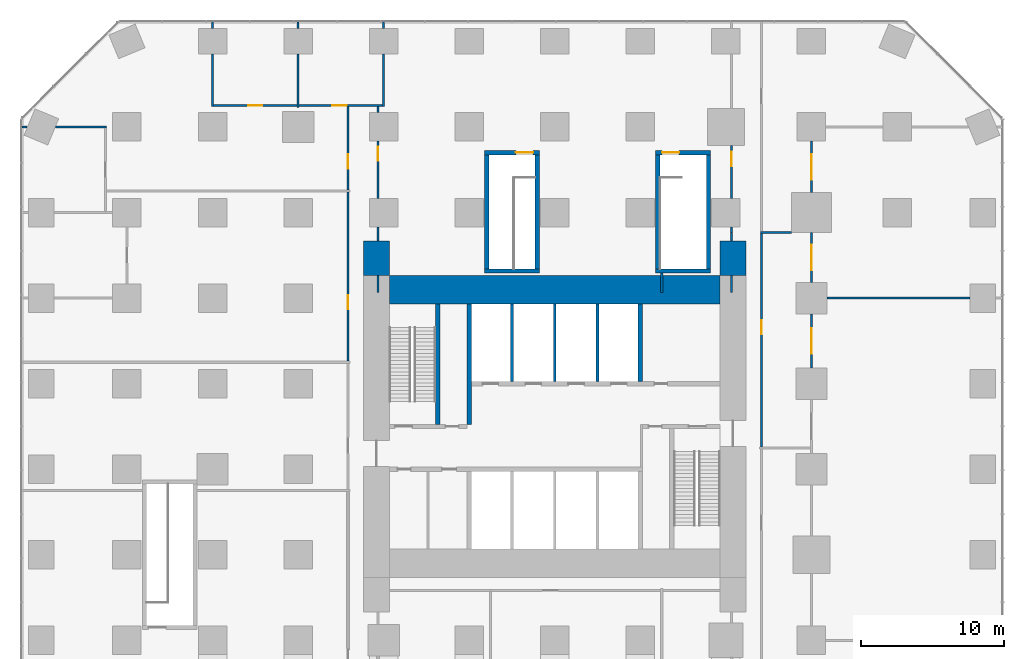
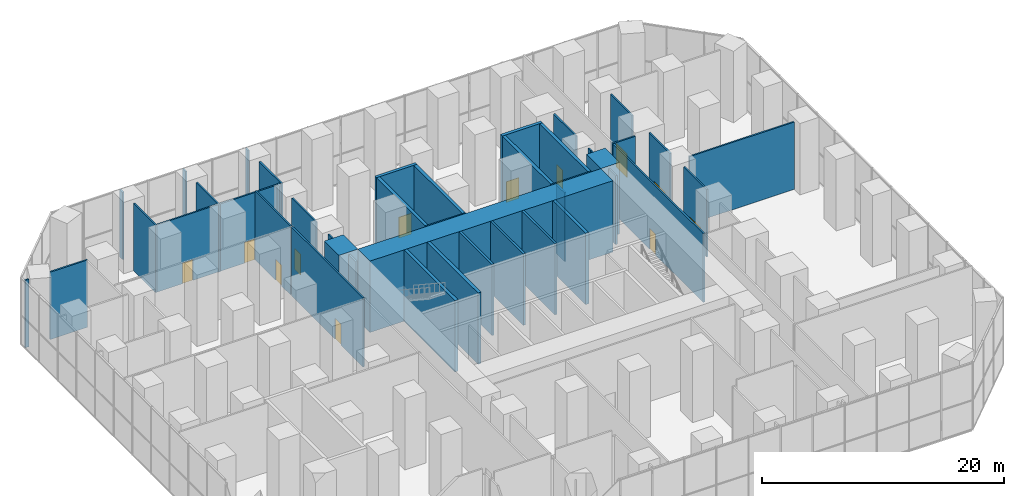
# One storey, part 14 of 16: 44 walls, 12 doors, 12 openings.
"""IFC4 building model written with IfcOpenShell, lengths in metres."""

import ifcopenshell
import ifcopenshell.guid

model = None  # the IFC model being written
_history = None  # IfcOwnerHistory: only IFC2X3 demands one
_inside = {}  # id of a spatial element -> (the spatial element, [elements in it])
_under = {}  # id of a project, library or spatial element -> (it, [spatial elements below it])
_declared = {}  # id of a project -> (the project, [libraries it declares])
_typed = {}  # id of a type object -> (the type object, [elements of that type])
_made_of = {}  # id of a material, layer set ... -> (it, [elements and type objects made of it])


def new_model(schema):
    """Start an empty IFC model of exactly this schema.

    Asked for "IFC4X3", IfcOpenShell would pick the latest addendum, in which some entities
    have other attributes; the version numbers below select the first issue.
    IFC2X3 requires an IfcOwnerHistory on every rooted entity: one is made here for all.
    """
    global model, _history
    if schema == "IFC4X3":
        model = ifcopenshell.file(schema_version=(4, 3, 0, 0))
    else:
        model = ifcopenshell.file(schema=schema)
    _inside.clear()
    _under.clear()
    _declared.clear()
    _typed.clear()
    _made_of.clear()
    _history = None
    if model.schema == "IFC2X3":
        org = make("IfcOrganization", Name="unknown")
        user = make(
            "IfcPersonAndOrganization",
            ThePerson=make("IfcPerson", FamilyName="unknown"),
            TheOrganization=org,
        )
        app = make(
            "IfcApplication",
            ApplicationDeveloper=org,
            Version="unknown",
            ApplicationFullName="unknown",
            ApplicationIdentifier="unknown",
        )
        _history = make(
            "IfcOwnerHistory",
            OwningUser=user,
            OwningApplication=app,
            ChangeAction="ADDED",
            CreationDate=0,
        )
    return model


def make(cls, **values):
    """One entity of the class cls with the attributes given. An attribute that is None is left unset."""
    return model.create_entity(
        cls, **{name: value for name, value in values.items() if value is not None}
    )


def rooted(cls, **values):
    """An entity with a GlobalId (a new one), such as an element, a storey or a relation."""
    return make(cls, GlobalId=ifcopenshell.guid.new(), OwnerHistory=_history, **values)


def si_unit(unit_type, name, prefix=None):
    """IfcSIUnit, for example si_unit("LENGTHUNIT", "METRE", prefix="MILLI")."""
    return make("IfcSIUnit", UnitType=unit_type, Prefix=prefix, Name=name)


def assignment(units):
    """IfcUnitAssignment: the units of a project."""
    return None if units is None else make("IfcUnitAssignment", Units=units)


def point(xyz):
    """IfcCartesianPoint."""
    return None if xyz is None else make("IfcCartesianPoint", Coordinates=xyz)


def direction(xyz):
    """IfcDirection."""
    return None if xyz is None else make("IfcDirection", DirectionRatios=xyz)


def frame(location, z_axis=None, x_axis=None):
    """IfcAxis2Placement3D, a coordinate frame: its origin and axes. An axis left out is left unset."""
    return make(
        "IfcAxis2Placement3D",
        Location=point(location),
        Axis=direction(z_axis),
        RefDirection=direction(x_axis),
    )


def frame_2d(location, x_axis=None):
    """IfcAxis2Placement2D, a coordinate frame in the plane: its origin and x axis."""
    return make(
        "IfcAxis2Placement2D", Location=point(location), RefDirection=direction(x_axis)
    )


def origin():
    """The frame at (0, 0, 0) with its axes left unset."""
    return frame((0.0, 0.0, 0.0))


def place(relative_to, where):
    """IfcLocalPlacement: puts the frame where relative to a parent placement (None: the world)."""
    return make(
        "IfcLocalPlacement", PlacementRelTo=relative_to, RelativePlacement=where
    )


def context(
    kind, dimensions, precision=None, world=None, true_north=None, identifier=None
):
    """IfcGeometricRepresentationContext, for example the 3D "Model" context."""
    return make(
        "IfcGeometricRepresentationContext",
        ContextIdentifier=identifier,
        ContextType=kind,
        CoordinateSpaceDimension=dimensions,
        Precision=precision,
        WorldCoordinateSystem=world,
        TrueNorth=true_north,
    )


def subcontext(parent, identifier, kind, view, scale=None):
    """IfcGeometricRepresentationSubContext, for example "Body" below "Model"."""
    return make(
        "IfcGeometricRepresentationSubContext",
        ContextIdentifier=identifier,
        ContextType=kind,
        ParentContext=parent,
        TargetScale=scale,
        TargetView=view,
    )


def project(units=None, contexts=None):
    """IfcProject with its units and contexts."""
    return rooted(
        "IfcProject",
        Name="project",
        RepresentationContexts=contexts,
        UnitsInContext=assignment(units),
    )


def spatial(cls, under=None, at=None, **own):
    """A site, building, storey or space (cls), placed at a placement, below another one or the project."""
    s = rooted(cls, ObjectPlacement=at, **own)
    if under is not None:
        _under.setdefault(under.id(), (under, []))[1].append(s)
    return s


def profile(cls, at=None, kind="AREA", **sizes):
    """A parametric profile (cls). Its sizes go by their IFC names, for example OverallWidth=200.0."""
    return make(cls, ProfileType=kind, Position=at, **sizes)


def rectangle(**sizes):
    """IfcRectangleProfileDef."""
    return profile("IfcRectangleProfileDef", **sizes)


def extrude(swept, where, along, depth):
    """IfcExtrudedAreaSolid: the profile swept, set in the frame where, extruded along a direction by depth."""
    return make(
        "IfcExtrudedAreaSolid",
        SweptArea=swept,
        Position=where,
        ExtrudedDirection=direction(along),
        Depth=depth,
    )


def shape(context_of_items, identifier, shape_type, items):
    """IfcShapeRepresentation: the items that make up one representation, for example the "Body"."""
    return make(
        "IfcShapeRepresentation",
        ContextOfItems=context_of_items,
        RepresentationIdentifier=identifier,
        RepresentationType=shape_type,
        Items=items,
    )


def material(Name=None, Category=None):
    """IfcMaterial."""
    return make("IfcMaterial", Name=Name, Category=Category)


def layer(
    of_material, thickness, ventilated=None, Name=None, Category=None, Priority=None
):
    """IfcMaterialLayer: one layer of a wall or slab, of a material (None: an air gap)."""
    return make(
        "IfcMaterialLayer",
        Material=of_material,
        LayerThickness=thickness,
        IsVentilated=ventilated,
        Name=Name,
        Category=Category,
        Priority=Priority,
    )


def layer_set(layers, Name=None):
    """IfcMaterialLayerSet."""
    return make("IfcMaterialLayerSet", MaterialLayers=layers, LayerSetName=Name)


def made_of(thing, what):
    """Note that an element or type object is made of a material, layer set ...; save() writes the relation."""
    if what is not None:
        _made_of.setdefault(what.id(), (what, []))[1].append(thing)
    return thing


def type_object(cls, material=None, **own):
    """A type object (cls), such as IfcWallType, which elements share."""
    return made_of(rooted(cls, **own), material)


def element(
    cls,
    number,
    at=None,
    inside=None,
    cuts=None,
    type_object=None,
    material=None,
    context=None,
    identifier="Body",
    shape_type=None,
    held_by="IfcProductDefinitionShape",
    body=None,
    shapes=None,
    **own,
):
    """One element of the class cls, such as IfcWall. Its Tag is "e" and its number.

    at: its placement. inside: the storey or other place that contains it. cuts: it is an
    opening in that element (IfcRelVoidsElement). A single representation is given by context,
    identifier, shape_type and body (its items); several are given by shapes. held_by: the class
    of the entity that holds the representations. save() writes the other relations.
    """
    e = rooted(cls, Tag="e%d" % number, ObjectPlacement=at, **own)
    if body is not None:
        shapes = [shape(context, identifier, shape_type, body)]
    if shapes is not None:
        e.Representation = make(held_by, Representations=shapes)
    if inside is not None:
        _inside.setdefault(inside.id(), (inside, []))[1].append(e)
    if cuts is not None:
        rooted(
            "IfcRelVoidsElement", RelatingBuildingElement=cuts, RelatedOpeningElement=e
        )
    if type_object is not None:
        _typed.setdefault(type_object.id(), (type_object, []))[1].append(e)
    return made_of(e, material)


def fill(opening, filler):
    """IfcRelFillsElement: the door or window that sits in an opening."""
    return rooted(
        "IfcRelFillsElement",
        RelatingOpeningElement=opening,
        RelatedBuildingElement=filler,
    )


def aggregate(whole, parts):
    """IfcRelAggregates: a whole, such as a stair, and the parts it consists of."""
    return rooted("IfcRelAggregates", RelatingObject=whole, RelatedObjects=parts)


def save(model, path):
    """Write the relations noted so far, then the file.

    IfcRelAggregates (storeys below a building ...), IfcRelContainedInSpatialStructure (elements
    in a storey), IfcRelDefinesByType, IfcRelAssociatesMaterial and IfcRelDeclares: one each for
    every whole, place, type object, material and project.
    """
    for whole, parts in _under.values():
        aggregate(whole, parts)
    for where, things in _inside.values():
        rooted(
            "IfcRelContainedInSpatialStructure",
            RelatedElements=things,
            RelatingStructure=where,
        )
    for kind, things in _typed.values():
        rooted("IfcRelDefinesByType", RelatedObjects=things, RelatingType=kind)
    for what, things in _made_of.values():
        rooted("IfcRelAssociatesMaterial", RelatedObjects=things, RelatingMaterial=what)
    for by, libraries in _declared.values():
        rooted("IfcRelDeclares", RelatingContext=by, RelatedDefinitions=libraries)
    model.write(path)


model = new_model("IFC4")

# Units and contexts
model_context = context("Model", 3, precision=1e-05, world=origin(), true_north=direction((0.0, 1.0)))
body_context = subcontext(model_context, "Body", "Model", "MODEL_VIEW")
ifc_project = project(units=[si_unit("LENGTHUNIT", "METRE"), si_unit("AREAUNIT", "SQUARE_METRE"), si_unit("VOLUMEUNIT", "CUBIC_METRE"), si_unit("PLANEANGLEUNIT", "RADIAN"), si_unit("MASSUNIT", "GRAM", prefix="KILO")], contexts=[model_context])

# Site, building, storey
site_placement = place(None, origin())
site = spatial("IfcSite", under=ifc_project, at=site_placement, CompositionType="ELEMENT")
building_placement = place(site_placement, origin())
building = spatial("IfcBuilding", under=site, at=building_placement, Name="Highveld Stack Headquarters", CompositionType="ELEMENT")
storey_placement = place(building_placement, frame((0.0, 0.0, 11.0)))
storey = spatial("IfcBuildingStorey", under=building, at=storey_placement, Name="L02", CompositionType="ELEMENT", Elevation=11.0)

# Walls
ifc_material_1 = material(Name="Concrete C60/75", Category="concrete")
ifc_layer_1 = layer(ifc_material_1, 2.0)
ifc_layer_set_1 = layer_set([ifc_layer_1], Name="Concrete C60/75")
wall_type_1 = type_object("IfcWallType", Name="CORE WALL 2000 C60/75", PredefinedType="SHEAR", material=ifc_layer_set_1)
wall_1_placement = place(storey_placement, frame((-5.60009765625, 12.60009765625, 0.0), z_axis=(0.0, 0.0, 1.0), x_axis=(1.0, 0.0, 0.0)))
element("IfcWall", 1, at=wall_1_placement, inside=storey, type_object=wall_type_1, Name="Core wall N L02", PredefinedType="SHEAR", context=body_context, shape_type="SweptSolid", body=[
    extrude(rectangle(XDim=23.2001953125, YDim=2.0, at=frame_2d((11.60009765625, 0.0))), origin(), (0.0, 0.0, 1.0), 7.199951171875),
])
ifc_material_2 = material(Name="Concrete C60/75", Category="concrete")
ifc_layer_2 = layer(ifc_material_2, 0.300048828125)
ifc_layer_set_2 = layer_set([ifc_layer_2], Name="Concrete C60/75")
wall_type_2 = type_object("IfcWallType", Name="CORE WALL 300 C60/75", PredefinedType="SHEAR", material=ifc_layer_set_2)
wall_2_placement = place(storey_placement, frame((0.0, 3.14990234375, 0.0), z_axis=(0.0, 0.0, 1.0), x_axis=(0.0, 1.0, 0.0)))
element("IfcWall", 2, at=wall_2_placement, inside=storey, type_object=wall_type_2, Name="Core wall I-X0N L02", PredefinedType="SHEAR", context=body_context, shape_type="SweptSolid", body=[
    extrude(rectangle(XDim=8.4501953125, YDim=0.300048828125, at=frame_2d((4.22509765625, 0.0))), origin(), (0.0, 0.0, 1.0), 7.199951171875),
])
wall_3_placement = place(storey_placement, frame((12.0, 6.14990234375, 0.0), z_axis=(0.0, 0.0, 1.0), x_axis=(0.0, 1.0, 0.0)))
element("IfcWall", 3, at=wall_3_placement, inside=storey, type_object=wall_type_2, Name="Core wall I-X12N L02", PredefinedType="SHEAR", context=body_context, shape_type="SweptSolid", body=[
    extrude(rectangle(XDim=5.4501953125, YDim=0.300048828125, at=frame_2d((2.72509765625, 0.0))), origin(), (0.0, 0.0, 1.0), 7.199951171875),
])
wall_4_placement = place(storey_placement, frame((-2.199951171875, 3.14990234375, 0.0), z_axis=(0.0, 0.0, 1.0), x_axis=(0.0, 1.0, 0.0)))
element("IfcWall", 4, at=wall_4_placement, inside=storey, type_object=wall_type_2, Name="Core wall I-RW L02", PredefinedType="SHEAR", context=body_context, shape_type="SweptSolid", body=[
    extrude(rectangle(XDim=8.4501953125, YDim=0.300048828125, at=frame_2d((4.22509765625, 0.0))), origin(), (0.0, 0.0, 1.0), 7.199951171875),
])
ifc_material_3 = material(Name="Concrete C60/75", Category="concrete")
ifc_layer_3 = layer(ifc_material_3, 1.800048828125)
ifc_layer_set_3 = layer_set([ifc_layer_3], Name="Concrete C60/75")
wall_type_3 = type_object("IfcWallType", Name="CORE WING WALL 1800 C60/75", PredefinedType="SHEAR", material=ifc_layer_set_3)
for number, where, z_axis, x_axis, name in (
    (5, (-6.5, 13.60009765625, 0.0), (0.0, 0.0, 1.0), (0.0, 1.0, 0.0), "Core wing wall WN L02"),
    (6, (18.5, 13.60009765625, 0.0), (0.0, 0.0, 1.0), (0.0, 1.0, 0.0), "Core wing wall EN L02"),
):
    element("IfcWall", number, at=place(storey_placement, frame(where, z_axis=z_axis, x_axis=x_axis)), inside=storey, type_object=wall_type_3, Name=name, PredefinedType="SHEAR", context=body_context, shape_type="SweptSolid", body=[
        extrude(rectangle(XDim=2.39990234375, YDim=1.800048828125, at=frame_2d((1.199951171875, 0.0))), origin(), (0.0, 0.0, 1.0), 7.199951171875),
    ])
ifc_material_4 = material(Name="Concrete blockwork, fair-faced", Category="masonry")
ifc_layer_4 = layer(ifc_material_4, 0.199951171875)
ifc_layer_set_4 = layer_set([ifc_layer_4], Name="Concrete blockwork, fair-faced")
wall_type_4 = type_object("IfcWallType", Name="LIFT SHAFT ENCLOSURE WALL 200 BLOCKWORK", PredefinedType="SOLIDWALL", material=ifc_layer_set_4)
for number, where, z_axis, x_axis, name in (
    (7, (3.0, 6.14990234375, 0.0), (0.0, 0.0, 1.0), (0.0, 1.0, 0.0), "Lift shaft wall L02"),
    (8, (6.0, 6.14990234375, 0.0), (0.0, 0.0, 1.0), (0.0, 1.0, 0.0), "Lift shaft wall L02"),
    (9, (9.0, 6.14990234375, 0.0), (0.0, 0.0, 1.0), (0.0, 1.0, 0.0), "Lift shaft wall L02"),
):
    element("IfcWall", number, at=place(storey_placement, frame(where, z_axis=z_axis, x_axis=x_axis)), inside=storey, type_object=wall_type_4, Name=name, PredefinedType="SOLIDWALL", context=body_context, shape_type="SweptSolid", body=[
        extrude(rectangle(XDim=5.4501953125, YDim=0.199951171875, at=frame_2d((2.72509765625, 0.0))), origin(), (0.0, 0.0, 1.0), 7.199951171875),
    ])
ifc_material_5 = material(Name="Gypsum plasterboard on steel studs", Category="steel")
ifc_layer_5 = layer(ifc_material_5, 0.14990234375)
ifc_layer_set_5 = layer_set([ifc_layer_5], Name="Gypsum plasterboard on steel studs")
wall_type_5 = type_object("IfcWallType", Name="PARTITION 150 PLASTERBOARD", PredefinedType="PARTITIONING", material=ifc_layer_set_5)
wall_5_placement = place(storey_placement, frame((25.10009765625, 12.0, 0.0), z_axis=(0.0, 0.0, 1.0), x_axis=(1.0, 0.0, 0.0)))
element("IfcWall", 10, at=wall_5_placement, inside=storey, type_object=wall_type_5, Name="Partition Auditorium / Auditorium foyer L02", PredefinedType="PARTITIONING", context=body_context, shape_type="SweptSolid", body=[
    extrude(rectangle(XDim=10.0, YDim=0.14990234375, at=frame_2d((5.0, 0.0))), origin(), (0.0, 0.0, 1.0), 6.800048828125),
])
wall_6_placement = place(storey_placement, frame((-31.375, 24.0, 0.0), z_axis=(0.0, 0.0, 1.0), x_axis=(1.0, 0.0, 0.0)))
element("IfcWall", 11, at=wall_6_placement, inside=storey, type_object=wall_type_5, Name="Partition Quiet room L02", PredefinedType="PARTITIONING", context=body_context, shape_type="SweptSolid", body=[
    extrude(rectangle(XDim=0.369873046875, YDim=0.14990234375, at=frame_2d((0.18505859375, 0.0))), origin(), (0.0, 0.0, 1.0), 6.800048828125),
])
wall_7_placement = place(storey_placement, frame((-28.994873046875, 24.0, 0.0), z_axis=(0.0, 0.0, 1.0), x_axis=(1.0, 0.0, 0.0)))
element("IfcWall", 12, at=wall_7_placement, inside=storey, type_object=wall_type_5, Name="Partition Quiet room L02", PredefinedType="PARTITIONING", context=body_context, shape_type="SweptSolid", body=[
    extrude(rectangle(XDim=3.56982421875, YDim=0.14990234375, at=frame_2d((1.784912109375, 0.0))), origin(), (0.0, 0.0, 1.0), 6.800048828125),
])

# Wall, opening, door
wall_8_placement = place(storey_placement, frame((-17.925048828125, 25.5, 0.0), z_axis=(0.0, 0.0, 1.0), x_axis=(1.0, 0.0, 0.0)))
wall_8 = element("IfcWall", 13, at=wall_8_placement, inside=storey, type_object=wall_type_5, Name="Partition Quiet room L02", PredefinedType="PARTITIONING", context=body_context, shape_type="SweptSolid", body=[
    extrude(rectangle(XDim=5.85009765625, YDim=0.14990234375, at=frame_2d((2.925048828125, 0.0))), origin(), (0.0, 0.0, 1.0), 6.800048828125),
])
opening_1_placement = place(wall_8_placement, frame((2.425048828125, 0.0, 0.0)))
opening_1 = element("IfcOpeningElement", 14, at=opening_1_placement, cuts=wall_8, Name="Opening L02-23", PredefinedType="OPENING", context=body_context, shape_type="SweptSolid", body=[
    extrude(rectangle(XDim=1.0, YDim=2.10009765625, at=frame_2d((0.5, 1.050048828125))), frame((0.0, 0.0849609375, 0.0), z_axis=(0.0, -1.0, 0.0), x_axis=(1.0, 0.0, 0.0)), (0.0, 0.0, 1.0), 0.169921875),
])
ifc_material_6 = material(Name="Timber door, oiled ash", Category="wood")
door_type_1 = type_object("IfcDoorType", Name="ROOM DOOR D6 1000x2100", OperationType="SINGLE_SWING_LEFT", PredefinedType="DOOR", material=ifc_material_6)
door_1_placement = place(opening_1_placement, origin())
door_1 = element("IfcDoor", 15, at=door_1_placement, inside=storey, type_object=door_type_1, Name="Quiet room door 1 L02", OperationType="SINGLE_SWING_LEFT", OverallHeight=2.10009765625, OverallWidth=1.0, PredefinedType="DOOR", context=body_context, shape_type="SweptSolid", body=[
    extrude(rectangle(XDim=1.0, YDim=2.10009765625, at=frame_2d((0.5, 1.050048828125))), frame((0.0, 0.02490234375, 0.0), z_axis=(0.0, -1.0, 0.0), x_axis=(1.0, 0.0, 0.0)), (0.0, 0.0, 1.0), 0.050048828125),
])
fill(opening_1, door_1)

wall_9_placement = place(storey_placement, frame((-11.925048828125, 25.5, 0.0), z_axis=(0.0, 0.0, 1.0), x_axis=(1.0, 0.0, 0.0)))
wall_9 = element("IfcWall", 16, at=wall_9_placement, inside=storey, type_object=wall_type_5, Name="Partition Quiet room L02", PredefinedType="PARTITIONING", context=body_context, shape_type="SweptSolid", body=[
    extrude(rectangle(XDim=5.85009765625, YDim=0.14990234375, at=frame_2d((2.925048828125, 0.0))), origin(), (0.0, 0.0, 1.0), 6.800048828125),
])
opening_2_placement = place(wall_9_placement, frame((2.324951171875, 0.0, 0.0)))
opening_2 = element("IfcOpeningElement", 17, at=opening_2_placement, cuts=wall_9, Name="Opening L02-24", PredefinedType="OPENING", context=body_context, shape_type="SweptSolid", body=[
    extrude(rectangle(XDim=1.0, YDim=2.10009765625, at=frame_2d((0.5, 1.050048828125))), frame((0.0, 0.0849609375, 0.0), z_axis=(0.0, -1.0, 0.0), x_axis=(1.0, 0.0, 0.0)), (0.0, 0.0, 1.0), 0.169921875),
])
door_2_placement = place(opening_2_placement, origin())
door_2 = element("IfcDoor", 18, at=door_2_placement, inside=storey, type_object=door_type_1, Name="Quiet room door 1 L02", OperationType="SINGLE_SWING_LEFT", OverallHeight=2.10009765625, OverallWidth=1.0, PredefinedType="DOOR", context=body_context, shape_type="SweptSolid", body=[
    extrude(rectangle(XDim=1.0, YDim=2.10009765625, at=frame_2d((0.5, 1.050048828125))), frame((0.0, 0.02490234375, 0.0), z_axis=(0.0, -1.0, 0.0), x_axis=(1.0, 0.0, 0.0)), (0.0, 0.0, 1.0), 0.050048828125),
])
fill(opening_2, door_2)

# Walls
wall_10_placement = place(storey_placement, frame((-18.0, 25.425048828125, 0.0), z_axis=(0.0, 0.0, 1.0), x_axis=(0.0, 1.0, 0.0)))
element("IfcWall", 19, at=wall_10_placement, inside=storey, type_object=wall_type_5, Name="Partition Quiet room L02", PredefinedType="PARTITIONING", context=body_context, shape_type="SweptSolid", body=[
    extrude(rectangle(XDim=3.675048828125, YDim=0.14990234375, at=frame_2d((1.83740234375, 0.0))), origin(), (0.0, 0.0, 1.0), 6.800048828125),
])
wall_11_placement = place(storey_placement, frame((-18.0, 30.89990234375, 0.0), z_axis=(0.0, 0.0, 1.0), x_axis=(0.0, 1.0, 0.0)))
element("IfcWall", 20, at=wall_11_placement, inside=storey, type_object=wall_type_5, Name="Partition Quiet room L02", PredefinedType="PARTITIONING", context=body_context, shape_type="SweptSolid", body=[
    extrude(rectangle(XDim=0.47509765625, YDim=0.14990234375, at=frame_2d((0.237548828125, 0.0))), origin(), (0.0, 0.0, 1.0), 6.800048828125),
])
wall_12_placement = place(storey_placement, frame((-12.0, 25.35009765625, 0.0), z_axis=(0.0, 0.0, 1.0), x_axis=(0.0, 1.0, 0.0)))
element("IfcWall", 21, at=wall_12_placement, inside=storey, type_object=wall_type_5, Name="Partition Quiet room L02", PredefinedType="PARTITIONING", context=body_context, shape_type="SweptSolid", body=[
    extrude(rectangle(XDim=3.75, YDim=0.14990234375, at=frame_2d((1.875, 0.0))), origin(), (0.0, 0.0, 1.0), 6.800048828125),
])
wall_13_placement = place(storey_placement, frame((-12.0, 30.89990234375, 0.0), z_axis=(0.0, 0.0, 1.0), x_axis=(0.0, 1.0, 0.0)))
element("IfcWall", 22, at=wall_13_placement, inside=storey, type_object=wall_type_5, Name="Partition Quiet room L02", PredefinedType="PARTITIONING", context=body_context, shape_type="SweptSolid", body=[
    extrude(rectangle(XDim=0.47509765625, YDim=0.14990234375, at=frame_2d((0.237548828125, 0.0))), origin(), (0.0, 0.0, 1.0), 6.800048828125),
])
wall_14_placement = place(storey_placement, frame((-6.0, 25.425048828125, 0.0), z_axis=(0.0, 0.0, 1.0), x_axis=(0.0, 1.0, 0.0)))
element("IfcWall", 23, at=wall_14_placement, inside=storey, type_object=wall_type_5, Name="Partition Quiet room L02", PredefinedType="PARTITIONING", context=body_context, shape_type="SweptSolid", body=[
    extrude(rectangle(XDim=3.675048828125, YDim=0.14990234375, at=frame_2d((1.83740234375, 0.0))), origin(), (0.0, 0.0, 1.0), 6.800048828125),
])
wall_15_placement = place(storey_placement, frame((-6.0, 30.89990234375, 0.0), z_axis=(0.0, 0.0, 1.0), x_axis=(0.0, 1.0, 0.0)))
element("IfcWall", 24, at=wall_15_placement, inside=storey, type_object=wall_type_5, Name="Partition Quiet room L02", PredefinedType="PARTITIONING", context=body_context, shape_type="SweptSolid", body=[
    extrude(rectangle(XDim=0.47509765625, YDim=0.14990234375, at=frame_2d((0.237548828125, 0.0))), origin(), (0.0, 0.0, 1.0), 6.800048828125),
])

# Wall, opening, door
wall_16_placement = place(storey_placement, frame((24.0, 7.10009765625, 0.0), z_axis=(0.0, 0.0, 1.0), x_axis=(0.0, 1.0, 0.0)))
wall_16 = element("IfcWall", 25, at=wall_16_placement, inside=storey, type_object=wall_type_5, Name="Partition Auditorium L02", PredefinedType="PARTITIONING", context=body_context, shape_type="SweptSolid", body=[
    extrude(rectangle(XDim=3.7998046875, YDim=0.14990234375, at=frame_2d((1.89990234375, 0.0))), origin(), (0.0, 0.0, 1.0), 6.800048828125),
])
opening_3_placement = place(wall_16_placement, frame((1.0, 0.0, 0.0)))
opening_3 = element("IfcOpeningElement", 26, at=opening_3_placement, cuts=wall_16, Name="Opening L02-14", PredefinedType="OPENING", context=body_context, shape_type="SweptSolid", body=[
    extrude(rectangle(XDim=1.800048828125, YDim=2.39990234375, at=frame_2d((0.89990234375, 1.199951171875))), frame((0.0, 0.0849609375, 0.0), z_axis=(0.0, -1.0, 0.0), x_axis=(1.0, 0.0, 0.0)), (0.0, 0.0, 1.0), 0.169921875),
])
ifc_material_7 = material(Name="Timber door, oiled ash", Category="wood")
door_type_2 = type_object("IfcDoorType", Name="DOUBLE DOOR D10 1800x2400", OperationType="DOUBLE_DOOR_SINGLE_SWING", PredefinedType="DOOR", material=ifc_material_7)
door_3_placement = place(opening_3_placement, origin())
door_3 = element("IfcDoor", 27, at=door_3_placement, inside=storey, type_object=door_type_2, Name="Auditorium door 2 L02", OperationType="DOUBLE_DOOR_SINGLE_SWING", OverallHeight=2.39990234375, OverallWidth=1.800048828125, PredefinedType="DOOR", context=body_context, shape_type="SweptSolid", body=[
    extrude(rectangle(XDim=1.800048828125, YDim=2.39990234375, at=frame_2d((0.89990234375, 1.199951171875))), frame((0.0, 0.02490234375, 0.0), z_axis=(0.0, -1.0, 0.0), x_axis=(1.0, 0.0, 0.0)), (0.0, 0.0, 1.0), 0.050048828125),
])
fill(opening_3, door_3)

wall_17_placement = place(storey_placement, frame((24.0, 13.10009765625, 0.0), z_axis=(0.0, 0.0, 1.0), x_axis=(0.0, 1.0, 0.0)))
wall_17 = element("IfcWall", 28, at=wall_17_placement, inside=storey, type_object=wall_type_5, Name="Partition Auditorium foyer L02", PredefinedType="PARTITIONING", context=body_context, shape_type="SweptSolid", body=[
    extrude(rectangle(XDim=3.5, YDim=0.14990234375, at=frame_2d((1.75, 0.0))), origin(), (0.0, 0.0, 1.0), 6.800048828125),
])
opening_4_placement = place(wall_17_placement, frame((0.85009765625, 0.0, 0.0)))
opening_4 = element("IfcOpeningElement", 29, at=opening_4_placement, cuts=wall_17, Name="Opening L02-16", PredefinedType="OPENING", context=body_context, shape_type="SweptSolid", body=[
    extrude(rectangle(XDim=1.800048828125, YDim=2.39990234375, at=frame_2d((0.89990234375, 1.199951171875))), frame((0.0, 0.0849609375, 0.0), z_axis=(0.0, -1.0, 0.0), x_axis=(1.0, 0.0, 0.0)), (0.0, 0.0, 1.0), 0.169921875),
])
door_4_placement = place(opening_4_placement, origin())
door_4 = element("IfcDoor", 30, at=door_4_placement, inside=storey, type_object=door_type_2, Name="Auditorium foyer door 2 L02", OperationType="DOUBLE_DOOR_SINGLE_SWING", OverallHeight=2.39990234375, OverallWidth=1.800048828125, PredefinedType="DOOR", context=body_context, shape_type="SweptSolid", body=[
    extrude(rectangle(XDim=1.800048828125, YDim=2.39990234375, at=frame_2d((0.89990234375, 1.199951171875))), frame((0.0, 0.02490234375, 0.0), z_axis=(0.0, -1.0, 0.0), x_axis=(1.0, 0.0, 0.0)), (0.0, 0.0, 1.0), 0.050048828125),
])
fill(opening_4, door_4)

wall_18_placement = place(storey_placement, frame((24.0, 19.39990234375, 0.0), z_axis=(0.0, 0.0, 1.0), x_axis=(0.0, 1.0, 0.0)))
wall_18 = element("IfcWall", 31, at=wall_18_placement, inside=storey, type_object=wall_type_5, Name="Partition Auditorium foyer L02", PredefinedType="PARTITIONING", context=body_context, shape_type="SweptSolid", body=[
    extrude(rectangle(XDim=3.60009765625, YDim=0.14990234375, at=frame_2d((1.800048828125, 0.0))), origin(), (0.0, 0.0, 1.0), 6.800048828125),
])
opening_5_placement = place(wall_18_placement, frame((0.89990234375, 0.0, 0.0)))
opening_5 = element("IfcOpeningElement", 32, at=opening_5_placement, cuts=wall_18, Name="Opening L02-15", PredefinedType="OPENING", context=body_context, shape_type="SweptSolid", body=[
    extrude(rectangle(XDim=1.800048828125, YDim=2.39990234375, at=frame_2d((0.89990234375, 1.199951171875))), frame((0.0, 0.0849609375, 0.0), z_axis=(0.0, -1.0, 0.0), x_axis=(1.0, 0.0, 0.0)), (0.0, 0.0, 1.0), 0.169921875),
])
door_5_placement = place(opening_5_placement, origin())
door_5 = element("IfcDoor", 33, at=door_5_placement, inside=storey, type_object=door_type_2, Name="Auditorium foyer door 1 L02", OperationType="DOUBLE_DOOR_SINGLE_SWING", OverallHeight=2.39990234375, OverallWidth=1.800048828125, PredefinedType="DOOR", context=body_context, shape_type="SweptSolid", body=[
    extrude(rectangle(XDim=1.800048828125, YDim=2.39990234375, at=frame_2d((0.89990234375, 1.199951171875))), frame((0.0, 0.02490234375, 0.0), z_axis=(0.0, -1.0, 0.0), x_axis=(1.0, 0.0, 0.0)), (0.0, 0.0, 1.0), 0.050048828125),
])
fill(opening_5, door_5)

wall_19_placement = place(storey_placement, frame((-8.5, 7.574951171875, 0.0), z_axis=(0.0, 0.0, 1.0), x_axis=(0.0, 1.0, 0.0)))
wall_19 = element("IfcWall", 34, at=wall_19_placement, inside=storey, type_object=wall_type_5, Name="Partition office neighbourhood L02", PredefinedType="PARTITIONING", context=body_context, shape_type="SweptSolid", body=[
    extrude(rectangle(XDim=11.85009765625, YDim=0.14990234375, at=frame_2d((5.925048828125, 0.0))), origin(), (0.0, 0.0, 1.0), 6.949951171875),
])
opening_6_placement = place(wall_19_placement, frame((3.625, 0.0, 0.0)))
opening_6 = element("IfcOpeningElement", 35, at=opening_6_placement, cuts=wall_19, Name="Opening L02-32", PredefinedType="OPENING", context=body_context, shape_type="SweptSolid", body=[
    extrude(rectangle(XDim=1.0, YDim=2.10009765625, at=frame_2d((0.5, 1.050048828125))), frame((0.0, 0.0849609375, 0.0), z_axis=(0.0, -1.0, 0.0), x_axis=(1.0, 0.0, 0.0)), (0.0, 0.0, 1.0), 0.169921875),
])
door_6_placement = place(opening_6_placement, origin())
door_6 = element("IfcDoor", 36, at=door_6_placement, inside=storey, type_object=door_type_1, Name="Office neighbourhood door L02", OperationType="SINGLE_SWING_LEFT", OverallHeight=2.10009765625, OverallWidth=1.0, PredefinedType="DOOR", context=body_context, shape_type="SweptSolid", body=[
    extrude(rectangle(XDim=1.0, YDim=2.10009765625, at=frame_2d((0.5, 1.050048828125))), frame((0.0, 0.02490234375, 0.0), z_axis=(0.0, -1.0, 0.0), x_axis=(1.0, 0.0, 0.0)), (0.0, 0.0, 1.0), 0.050048828125),
])
fill(opening_6, door_6)

wall_20_placement = place(storey_placement, frame((-8.5, 19.574951171875, 0.0), z_axis=(0.0, 0.0, 1.0), x_axis=(0.0, 1.0, 0.0)))
wall_20 = element("IfcWall", 37, at=wall_20_placement, inside=storey, type_object=wall_type_5, Name="Partition office neighbourhood L02", PredefinedType="PARTITIONING", context=body_context, shape_type="SweptSolid", body=[
    extrude(rectangle(XDim=5.85009765625, YDim=0.14990234375, at=frame_2d((2.925048828125, 0.0))), origin(), (0.0, 0.0, 1.0), 6.949951171875),
])
opening_7_placement = place(wall_20_placement, frame((1.4990234375, 0.0, 0.0)))
opening_7 = element("IfcOpeningElement", 38, at=opening_7_placement, cuts=wall_20, Name="Opening L02-35", PredefinedType="OPENING", context=body_context, shape_type="SweptSolid", body=[
    extrude(rectangle(XDim=1.0, YDim=2.10009765625, at=frame_2d((0.5, 1.050048828125))), frame((0.0, 0.0849609375, 0.0), z_axis=(0.0, -1.0, 0.0), x_axis=(1.0, 0.0, 0.0)), (0.0, 0.0, 1.0), 0.169921875),
])
door_7_placement = place(opening_7_placement, origin())
door_7 = element("IfcDoor", 39, at=door_7_placement, inside=storey, type_object=door_type_1, Name="Office neighbourhood door L02", OperationType="SINGLE_SWING_LEFT", OverallHeight=2.10009765625, OverallWidth=1.0, PredefinedType="DOOR", context=body_context, shape_type="SweptSolid", body=[
    extrude(rectangle(XDim=1.0, YDim=2.10009765625, at=frame_2d((0.5, 1.050048828125))), frame((0.0, 0.02490234375, 0.0), z_axis=(0.0, -1.0, 0.0), x_axis=(1.0, 0.0, 0.0)), (0.0, 0.0, 1.0), 0.050048828125),
])
fill(opening_7, door_7)

# Walls
wall_21_placement = place(storey_placement, frame((-6.39990234375, 12.39990234375, 0.0), z_axis=(0.0, 0.0, 1.0), x_axis=(0.0, 1.0, 0.0)))
element("IfcWall", 40, at=wall_21_placement, inside=storey, type_object=wall_type_5, Name="Partition office neighbourhood L02", PredefinedType="PARTITIONING", context=body_context, shape_type="SweptSolid", body=[
    extrude(rectangle(XDim=1.2001953125, YDim=0.14990234375, at=frame_2d((0.60009765625, 0.0))), origin(), (0.0, 0.0, 1.0), 6.949951171875),
])
wall_22_placement = place(storey_placement, frame((-6.39990234375, 16.0, 0.0), z_axis=(0.0, 0.0, 1.0), x_axis=(0.0, 1.0, 0.0)))
element("IfcWall", 41, at=wall_22_placement, inside=storey, type_object=wall_type_5, Name="Partition office neighbourhood L02", PredefinedType="PARTITIONING", context=body_context, shape_type="SweptSolid", body=[
    extrude(rectangle(XDim=1.0, YDim=0.14990234375, at=frame_2d((0.5, 0.0))), origin(), (0.0, 0.0, 1.0), 6.949951171875),
])

# Wall, opening, door
wall_23_placement = place(storey_placement, frame((-6.39990234375, 19.0, 0.0), z_axis=(0.0, 0.0, 1.0), x_axis=(0.0, 1.0, 0.0)))
wall_23 = element("IfcWall", 42, at=wall_23_placement, inside=storey, type_object=wall_type_5, Name="Partition office neighbourhood L02", PredefinedType="PARTITIONING", context=body_context, shape_type="SweptSolid", body=[
    extrude(rectangle(XDim=4.0, YDim=0.14990234375, at=frame_2d((2.0, 0.0))), origin(), (0.0, 0.0, 1.0), 6.949951171875),
])
opening_8_placement = place(wall_23_placement, frame((2.6259765625, 0.0, 0.0)))
opening_8 = element("IfcOpeningElement", 43, at=opening_8_placement, cuts=wall_23, Name="Opening L02-33", PredefinedType="OPENING", context=body_context, shape_type="SweptSolid", body=[
    extrude(rectangle(XDim=1.0, YDim=2.10009765625, at=frame_2d((0.5, 1.050048828125))), frame((0.0, 0.0849609375, 0.0), z_axis=(0.0, -1.0, 0.0), x_axis=(1.0, 0.0, 0.0)), (0.0, 0.0, 1.0), 0.169921875),
])
door_8_placement = place(opening_8_placement, origin())
door_8 = element("IfcDoor", 44, at=door_8_placement, inside=storey, type_object=door_type_1, Name="Office neighbourhood door L02", OperationType="SINGLE_SWING_RIGHT", OverallHeight=2.10009765625, OverallWidth=1.0, PredefinedType="DOOR", context=body_context, shape_type="SweptSolid", body=[
    extrude(rectangle(XDim=1.0, YDim=2.10009765625, at=frame_2d((0.5, 1.050048828125))), frame((0.0, 0.02490234375, 0.0), z_axis=(0.0, -1.0, 0.0), x_axis=(1.0, 0.0, 0.0)), (0.0, 0.0, 1.0), 0.050048828125),
])
fill(opening_8, door_8)

# Walls
wall_24_placement = place(storey_placement, frame((-6.39990234375, 25.0, 0.0), z_axis=(0.0, 0.0, 1.0), x_axis=(0.0, 1.0, 0.0)))
element("IfcWall", 45, at=wall_24_placement, inside=storey, type_object=wall_type_5, Name="Partition office neighbourhood L02", PredefinedType="PARTITIONING", context=body_context, shape_type="SweptSolid", body=[
    extrude(rectangle(XDim=0.425048828125, YDim=0.14990234375, at=frame_2d((0.21240234375, 0.0))), origin(), (0.0, 0.0, 1.0), 6.949951171875),
])
wall_25_placement = place(storey_placement, frame((13.5, 12.39990234375, 0.0), z_axis=(0.0, 0.0, 1.0), x_axis=(0.0, 1.0, 0.0)))
element("IfcWall", 46, at=wall_25_placement, inside=storey, type_object=wall_type_5, Name="Partition office neighbourhood L02", PredefinedType="PARTITIONING", context=body_context, shape_type="SweptSolid", body=[
    extrude(rectangle(XDim=1.35009765625, YDim=0.14990234375, at=frame_2d((0.675048828125, 0.0))), origin(), (0.0, 0.0, 1.0), 6.949951171875),
])
wall_26_placement = place(storey_placement, frame((18.39990234375, 12.39990234375, 0.0), z_axis=(0.0, 0.0, 1.0), x_axis=(0.0, 1.0, 0.0)))
element("IfcWall", 47, at=wall_26_placement, inside=storey, type_object=wall_type_5, Name="Partition office neighbourhood L02", PredefinedType="PARTITIONING", context=body_context, shape_type="SweptSolid", body=[
    extrude(rectangle(XDim=1.2001953125, YDim=0.14990234375, at=frame_2d((0.60009765625, 0.0))), origin(), (0.0, 0.0, 1.0), 6.949951171875),
])
wall_27_placement = place(storey_placement, frame((18.39990234375, 16.0, 0.0), z_axis=(0.0, 0.0, 1.0), x_axis=(0.0, 1.0, 0.0)))
element("IfcWall", 48, at=wall_27_placement, inside=storey, type_object=wall_type_5, Name="Partition office neighbourhood L02", PredefinedType="PARTITIONING", context=body_context, shape_type="SweptSolid", body=[
    extrude(rectangle(XDim=0.60009765625, YDim=0.14990234375, at=frame_2d((0.300048828125, 0.0))), origin(), (0.0, 0.0, 1.0), 6.949951171875),
])
wall_28_placement = place(storey_placement, frame((18.39990234375, 16.60009765625, 0.0), z_axis=(0.0, 0.0, 1.0), x_axis=(0.0, 1.0, 0.0)))
element("IfcWall", 49, at=wall_28_placement, inside=storey, type_object=wall_type_5, Name="Partition office neighbourhood L02", PredefinedType="PARTITIONING", context=body_context, shape_type="SweptSolid", body=[
    extrude(rectangle(XDim=0.39990234375, YDim=0.14990234375, at=frame_2d((0.199951171875, 0.0))), origin(), (0.0, 0.0, 1.0), 6.949951171875),
])

# Wall, opening, door
wall_29_placement = place(storey_placement, frame((18.39990234375, 19.0, 0.0), z_axis=(0.0, 0.0, 1.0), x_axis=(0.0, 1.0, 0.0)))
wall_29 = element("IfcWall", 50, at=wall_29_placement, inside=storey, type_object=wall_type_5, Name="Partition office neighbourhood L02", PredefinedType="PARTITIONING", context=body_context, shape_type="SweptSolid", body=[
    extrude(rectangle(XDim=3.699951171875, YDim=0.14990234375, at=frame_2d((1.85009765625, 0.0))), origin(), (0.0, 0.0, 1.0), 6.949951171875),
])
opening_9_placement = place(wall_29_placement, frame((2.2451171875, 0.0, 0.0)))
opening_9 = element("IfcOpeningElement", 51, at=opening_9_placement, cuts=wall_29, Name="Opening L02-34", PredefinedType="OPENING", context=body_context, shape_type="SweptSolid", body=[
    extrude(rectangle(XDim=1.0, YDim=2.10009765625, at=frame_2d((0.5, 1.050048828125))), frame((0.0, 0.0849609375, 0.0), z_axis=(0.0, -1.0, 0.0), x_axis=(1.0, 0.0, 0.0)), (0.0, 0.0, 1.0), 0.169921875),
])
door_9_placement = place(opening_9_placement, origin())
door_9 = element("IfcDoor", 52, at=door_9_placement, inside=storey, type_object=door_type_1, Name="Office neighbourhood door L02", OperationType="SINGLE_SWING_RIGHT", OverallHeight=2.10009765625, OverallWidth=1.0, PredefinedType="DOOR", context=body_context, shape_type="SweptSolid", body=[
    extrude(rectangle(XDim=1.0, YDim=2.10009765625, at=frame_2d((0.5, 1.050048828125))), frame((0.0, 0.02490234375, 0.0), z_axis=(0.0, -1.0, 0.0), x_axis=(1.0, 0.0, 0.0)), (0.0, 0.0, 1.0), 0.050048828125),
])
fill(opening_9, door_9)

wall_30_placement = place(storey_placement, frame((20.5, 1.574951171875, 0.0), z_axis=(0.0, 0.0, 1.0), x_axis=(0.0, 1.0, 0.0)))
wall_30 = element("IfcWall", 53, at=wall_30_placement, inside=storey, type_object=wall_type_5, Name="Partition office neighbourhood L02", PredefinedType="PARTITIONING", context=body_context, shape_type="SweptSolid", body=[
    extrude(rectangle(XDim=14.949951171875, YDim=0.14990234375, at=frame_2d((7.47509765625, 0.0))), origin(), (0.0, 0.0, 1.0), 6.949951171875),
])
opening_10_placement = place(wall_30_placement, frame((7.875, 0.0, 0.0)))
opening_10 = element("IfcOpeningElement", 54, at=opening_10_placement, cuts=wall_30, Name="Opening L02-31", PredefinedType="OPENING", context=body_context, shape_type="SweptSolid", body=[
    extrude(rectangle(XDim=1.0, YDim=2.10009765625, at=frame_2d((0.5, 1.050048828125))), frame((0.0, 0.0849609375, 0.0), z_axis=(0.0, -1.0, 0.0), x_axis=(1.0, 0.0, 0.0)), (0.0, 0.0, 1.0), 0.169921875),
])
door_10_placement = place(opening_10_placement, origin())
door_10 = element("IfcDoor", 55, at=door_10_placement, inside=storey, type_object=door_type_1, Name="Office neighbourhood door L02", OperationType="SINGLE_SWING_RIGHT", OverallHeight=2.10009765625, OverallWidth=1.0, PredefinedType="DOOR", context=body_context, shape_type="SweptSolid", body=[
    extrude(rectangle(XDim=1.0, YDim=2.10009765625, at=frame_2d((0.5, 1.050048828125))), frame((0.0, 0.02490234375, 0.0), z_axis=(0.0, -1.0, 0.0), x_axis=(1.0, 0.0, 0.0)), (0.0, 0.0, 1.0), 0.050048828125),
])
fill(opening_10, door_10)

# Walls
wall_31_placement = place(storey_placement, frame((20.425048828125, 16.60009765625, 0.0), z_axis=(0.0, 0.0, 1.0), x_axis=(1.0, 0.0, 0.0)))
element("IfcWall", 56, at=wall_31_placement, inside=storey, type_object=wall_type_5, Name="Partition office neighbourhood L02", PredefinedType="PARTITIONING", context=body_context, shape_type="SweptSolid", body=[
    extrude(rectangle(XDim=2.175048828125, YDim=0.14990234375, at=frame_2d((1.08740234375, 0.0))), origin(), (0.0, 0.0, 1.0), 6.949951171875),
])
ifc_material_8 = material(Name="Concrete blockwork, plastered", Category="masonry")
ifc_layer_6 = layer(ifc_material_8, 0.300048828125)
ifc_layer_set_6 = layer_set([ifc_layer_6], Name="Concrete blockwork, plastered")
wall_type_6 = type_object("IfcWallType", Name="STAIR ENCLOSURE HEAD WALL 300 BLOCKWORK", PredefinedType="PARTITIONING", material=ifc_layer_set_6)
wall_32_placement = place(storey_placement, frame((13.074951171875, 13.89990234375, 0.0), z_axis=(0.0, 0.0, 1.0), x_axis=(1.0, 0.0, 0.0)))
element("IfcWall", 57, at=wall_32_placement, inside=storey, type_object=wall_type_6, Name="Stair PS2 enclosure S L02", PredefinedType="PARTITIONING", context=body_context, shape_type="SweptSolid", body=[
    extrude(rectangle(XDim=3.85009765625, YDim=0.300048828125, at=frame_2d((1.925048828125, 0.0))), origin(), (0.0, 0.0, 1.0), 6.949951171875),
])

# Wall, opening, door
wall_33_placement = place(storey_placement, frame((13.074951171875, 22.199951171875, 0.0), z_axis=(0.0, 0.0, 1.0), x_axis=(1.0, 0.0, 0.0)))
wall_33 = element("IfcWall", 58, at=wall_33_placement, inside=storey, type_object=wall_type_6, Name="Stair PS2 enclosure N L02", PredefinedType="PARTITIONING", context=body_context, shape_type="SweptSolid", body=[
    extrude(rectangle(XDim=3.85009765625, YDim=0.300048828125, at=frame_2d((1.925048828125, 0.0))), origin(), (0.0, 0.0, 1.0), 6.949951171875),
])
opening_11_placement = place(wall_33_placement, frame((0.449951171875, 0.0, 0.0)))
opening_11 = element("IfcOpeningElement", 59, at=opening_11_placement, cuts=wall_33, Name="Opening L02-11", PredefinedType="OPENING", context=body_context, shape_type="SweptSolid", body=[
    extrude(rectangle(XDim=1.199951171875, YDim=2.10009765625, at=frame_2d((0.60009765625, 1.050048828125))), frame((0.0, 0.159912109375, 0.0), z_axis=(0.0, -1.0, 0.0), x_axis=(1.0, 0.0, 0.0)), (0.0, 0.0, 1.0), 0.320068359375),
])
ifc_material_9 = material(Name="Steel fire door", Category="steel")
door_type_3 = type_object("IfcDoorType", Name="STAIR FIRE DOOR D3 1200x2100", OperationType="SINGLE_SWING_LEFT", PredefinedType="DOOR", material=ifc_material_9)
door_11_placement = place(opening_11_placement, origin())
door_11 = element("IfcDoor", 60, at=door_11_placement, inside=storey, type_object=door_type_3, Name="Stair PS2 door L02", OperationType="SINGLE_SWING_LEFT", OverallHeight=2.10009765625, OverallWidth=1.199951171875, PredefinedType="DOOR", context=body_context, shape_type="SweptSolid", body=[
    extrude(rectangle(XDim=1.199951171875, YDim=2.10009765625, at=frame_2d((0.60009765625, 1.050048828125))), frame((0.0, 0.02490234375, 0.0), z_axis=(0.0, -1.0, 0.0), x_axis=(1.0, 0.0, 0.0)), (0.0, 0.0, 1.0), 0.050048828125),
])
fill(opening_11, door_11)

# Walls
for number, where, z_axis, x_axis, name in (
    (61, (13.22509765625, 14.050048828125, 0.0), (0.0, 0.0, 1.0), (0.0, 1.0, 0.0), "Stair PS2 enclosure W L02"),
    (62, (16.77490234375, 14.050048828125, 0.0), (0.0, 0.0, 1.0), (0.0, 1.0, 0.0), "Stair PS2 enclosure E L02"),
):
    element("IfcWall", number, at=place(storey_placement, frame(where, z_axis=z_axis, x_axis=x_axis)), inside=storey, type_object=wall_type_6, Name=name, PredefinedType="PARTITIONING", context=body_context, shape_type="SweptSolid", body=[
        extrude(rectangle(XDim=8.0, YDim=0.300048828125, at=frame_2d((4.0, 0.0))), origin(), (0.0, 0.0, 1.0), 6.949951171875),
    ])
wall_34_placement = place(storey_placement, frame((1.074951171875, 13.89990234375, 0.0), z_axis=(0.0, 0.0, 1.0), x_axis=(1.0, 0.0, 0.0)))
element("IfcWall", 63, at=wall_34_placement, inside=storey, type_object=wall_type_6, Name="Stair PS3 enclosure S L02", PredefinedType="PARTITIONING", context=body_context, shape_type="SweptSolid", body=[
    extrude(rectangle(XDim=3.85009765625, YDim=0.300048828125, at=frame_2d((1.925048828125, 0.0))), origin(), (0.0, 0.0, 1.0), 6.949951171875),
])

# Wall, opening, door
wall_35_placement = place(storey_placement, frame((1.074951171875, 22.199951171875, 0.0), z_axis=(0.0, 0.0, 1.0), x_axis=(1.0, 0.0, 0.0)))
wall_35 = element("IfcWall", 64, at=wall_35_placement, inside=storey, type_object=wall_type_6, Name="Stair PS3 enclosure N L02", PredefinedType="PARTITIONING", context=body_context, shape_type="SweptSolid", body=[
    extrude(rectangle(XDim=3.85009765625, YDim=0.300048828125, at=frame_2d((1.925048828125, 0.0))), origin(), (0.0, 0.0, 1.0), 6.949951171875),
])
opening_12_placement = place(wall_35_placement, frame((2.199951171875, 0.0, 0.0)))
opening_12 = element("IfcOpeningElement", 65, at=opening_12_placement, cuts=wall_35, Name="Opening L02-12", PredefinedType="OPENING", context=body_context, shape_type="SweptSolid", body=[
    extrude(rectangle(XDim=1.199951171875, YDim=2.10009765625, at=frame_2d((0.60009765625, 1.050048828125))), frame((0.0, 0.159912109375, 0.0), z_axis=(0.0, -1.0, 0.0), x_axis=(1.0, 0.0, 0.0)), (0.0, 0.0, 1.0), 0.320068359375),
])
door_12_placement = place(opening_12_placement, origin())
door_12 = element("IfcDoor", 66, at=door_12_placement, inside=storey, type_object=door_type_3, Name="Stair PS3 door L02", OperationType="SINGLE_SWING_RIGHT", OverallHeight=2.10009765625, OverallWidth=1.199951171875, PredefinedType="DOOR", context=body_context, shape_type="SweptSolid", body=[
    extrude(rectangle(XDim=1.199951171875, YDim=2.10009765625, at=frame_2d((0.60009765625, 1.050048828125))), frame((0.0, 0.02490234375, 0.0), z_axis=(0.0, -1.0, 0.0), x_axis=(1.0, 0.0, 0.0)), (0.0, 0.0, 1.0), 0.050048828125),
])
fill(opening_12, door_12)

# Walls
for number, where, z_axis, x_axis, name in (
    (67, (1.22509765625, 14.050048828125, 0.0), (0.0, 0.0, 1.0), (0.0, 1.0, 0.0), "Stair PS3 enclosure W L02"),
    (68, (4.77490234375, 14.050048828125, 0.0), (0.0, 0.0, 1.0), (0.0, 1.0, 0.0), "Stair PS3 enclosure E L02"),
):
    element("IfcWall", number, at=place(storey_placement, frame(where, z_axis=z_axis, x_axis=x_axis)), inside=storey, type_object=wall_type_6, Name=name, PredefinedType="PARTITIONING", context=body_context, shape_type="SweptSolid", body=[
        extrude(rectangle(XDim=8.0, YDim=0.300048828125, at=frame_2d((4.0, 0.0))), origin(), (0.0, 0.0, 1.0), 6.949951171875),
    ])

save(model, "model.ifc")
